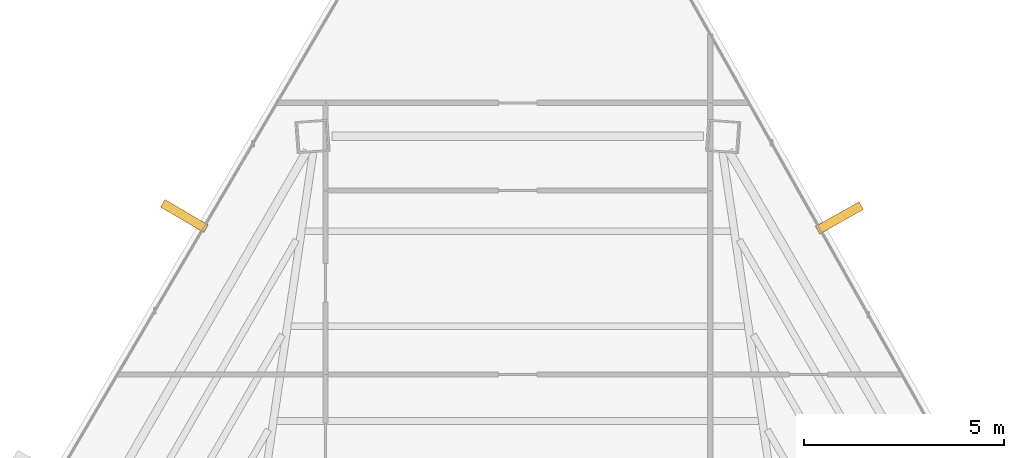
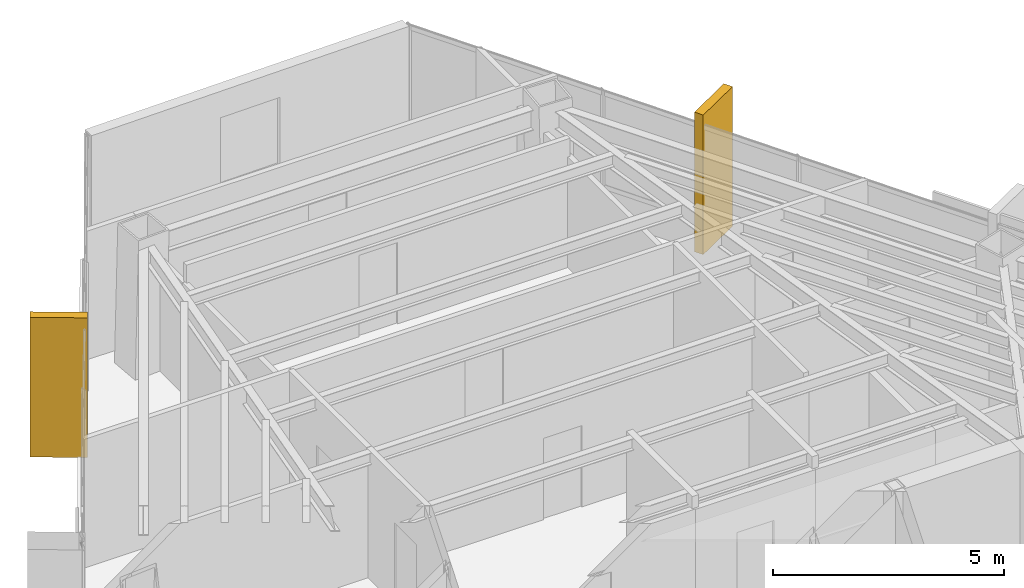
# One storey, part 42 of 42: 2 coverings.
"""IFC4 building model written with IfcOpenShell, lengths in metres."""

from ifc_helpers import new_model, si_unit, direction, frame, origin, origin_2d, place, context, subcontext, project, spatial, rectangle, extrude, source, transform, mapped, material, layer, layer_set, type_object, type_shapes, element, save


model = new_model("IFC4")

# Units and contexts
model_context = context("Model", 3, precision=1e-05, world=origin(), true_north=direction((0.0, 1.0)))
body_context = subcontext(model_context, "Body", "Model", "MODEL_VIEW")
ifc_project = project(units=[si_unit("LENGTHUNIT", "METRE"), si_unit("AREAUNIT", "SQUARE_METRE"), si_unit("VOLUMEUNIT", "CUBIC_METRE"), si_unit("PLANEANGLEUNIT", "RADIAN"), si_unit("MASSUNIT", "GRAM", prefix="KILO")], contexts=[model_context])

# Site, building, storey
site_placement = place(None, origin())
site = spatial("IfcSite", under=ifc_project, at=site_placement, CompositionType="ELEMENT")
building_placement = place(site_placement, origin())
building = spatial("IfcBuilding", under=site, at=building_placement, Name="Caelisora Broadcast Tower", CompositionType="ELEMENT")
storey_placement = place(building_placement, frame((0.0, 0.0, 202.300048828125)))
storey = spatial("IfcBuildingStorey", under=building, at=storey_placement, Name="L53", CompositionType="ELEMENT", Elevation=202.300048828125)

# Coverings
ifc_material = material(Name="Kiln-Fired Terracotta Spandrel Rainscreen Cladding", Category="ceramic")
ifc_layer = layer(ifc_material, 0.044921875, Name="Kiln-Fired Terracotta Spandrel Rainscreen Cladding")
ifc_layer_set = layer_set([ifc_layer], Name="Kiln-Fired Terracotta Spandrel Rainscreen Cladding")
covering_type = type_object("IfcCoveringType", Name="CL-1", PredefinedType="CLADDING", material=ifc_layer_set)
shared_shape = source(origin(), body_context, "Body", "SweptSolid", [
    extrude(rectangle(XDim=0.219970703125, YDim=1.25, at=origin_2d()), origin(), (0.0, 0.0, 1.0), 3.68994140625),
])
type_shapes(covering_type, [shared_shape])
for number, where, z_axis, x_axis, name in (
    (1, (46.025390625, 44.547119140625, -0.02001953125), (0.0, 0.0, 1.0), (0.490903753615, -0.87121381112, 0.0), "L53 vertical solar fin cladding #1-1"),
    (2, (29.6787109375, 44.594970703125, -0.02001953125), (0.0, 0.0, 1.0), (0.506334807353, 0.862336977557, 0.0), "L53 vertical solar fin cladding #3-4"),
):
    element("IfcCovering", number, at=place(storey_placement, frame(where, z_axis=z_axis, x_axis=x_axis)), inside=storey, type_object=covering_type, Name=name, PredefinedType="CLADDING", context=body_context, shape_type="MappedRepresentation", body=[
        mapped(shared_shape, transform((0.0, 0.0, 0.0), scale=1.0)),
    ])

save(model, "model.ifc")
